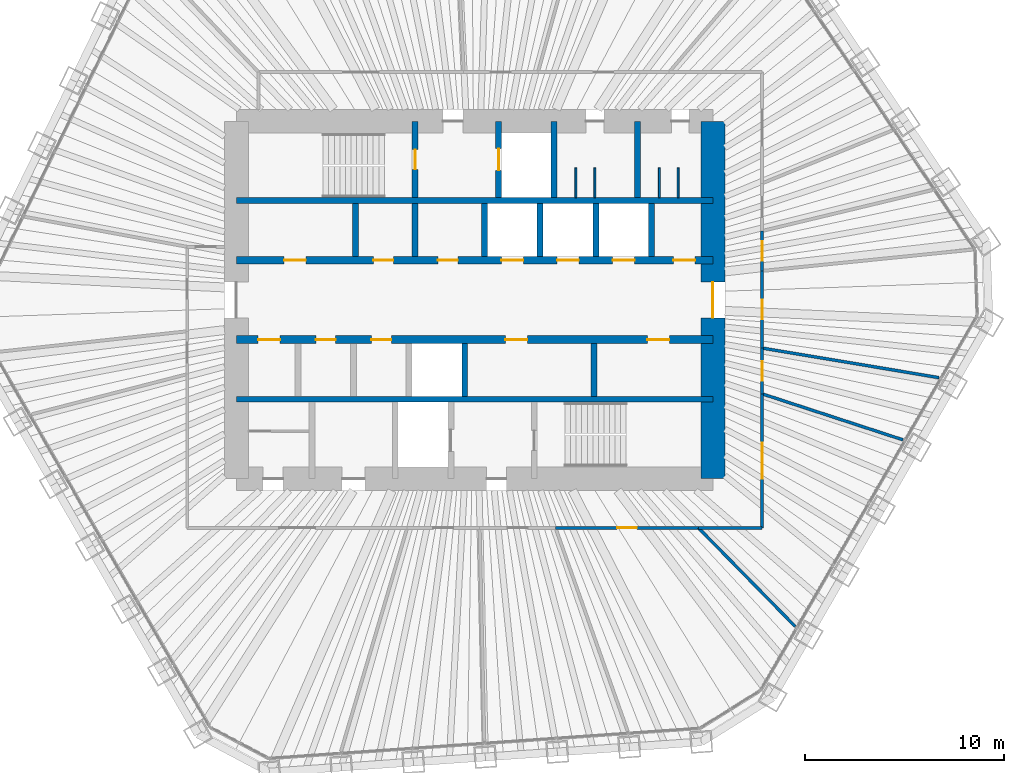
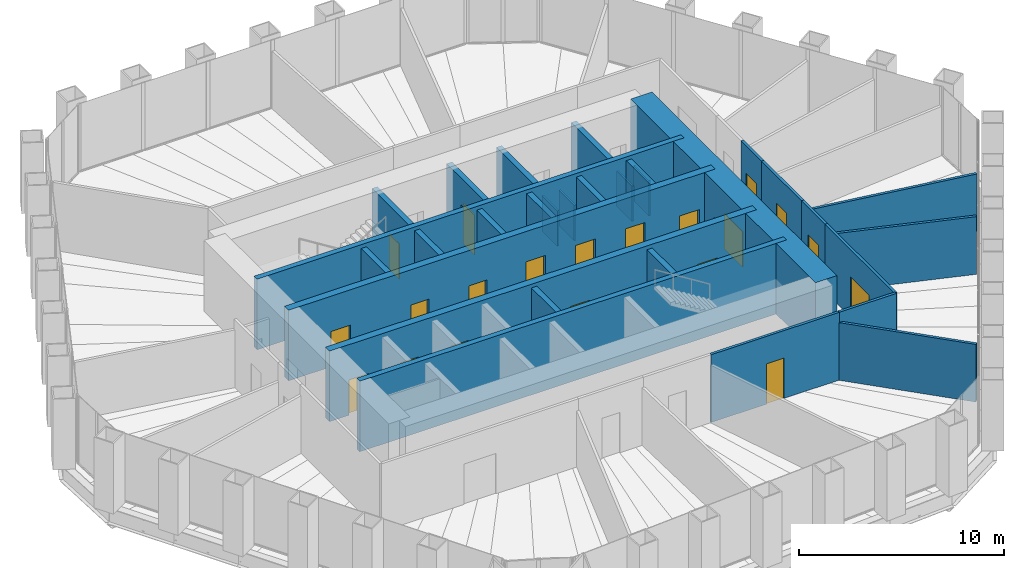
# One storey, part 11 of 13: 30 walls, 20 doors, 20 openings.
"""IFC4 building model written with IfcOpenShell, lengths in metres."""

from ifc_helpers import new_model, si_unit, direction, frame, frame_2d, origin, place, context, subcontext, project, spatial, rectangle, extrude, material, layer, layer_set, type_object, element, fill, save


model = new_model("IFC4")

# Units and contexts
model_context = context("Model", 3, precision=1e-05, world=origin(), true_north=direction((0.0, 1.0)))
body_context = subcontext(model_context, "Body", "Model", "MODEL_VIEW")
ifc_project = project(units=[si_unit("LENGTHUNIT", "METRE"), si_unit("AREAUNIT", "SQUARE_METRE"), si_unit("VOLUMEUNIT", "CUBIC_METRE"), si_unit("PLANEANGLEUNIT", "RADIAN"), si_unit("MASSUNIT", "GRAM", prefix="KILO")], contexts=[model_context])

# Site, building, storey
site_placement = place(None, origin())
site = spatial("IfcSite", under=ifc_project, at=site_placement, CompositionType="ELEMENT")
building_placement = place(site_placement, origin())
building = spatial("IfcBuilding", under=site, at=building_placement, Name="Qingtian Harvest Tower", CompositionType="ELEMENT")
storey_placement = place(building_placement, frame((0.0, 0.0, 214.0)))
storey = spatial("IfcBuildingStorey", under=building, at=storey_placement, Name="L46", CompositionType="ELEMENT", Elevation=214.0)

# Walls
ifc_material_1 = material(Name="Concrete fc' 70 MPa", Category="concrete")
ifc_layer_1 = layer(ifc_material_1, 0.300048828125)
ifc_layer_set_1 = layer_set([ifc_layer_1], Name="Core inner wall RC5 300")
wall_type_1 = type_object("IfcWallType", Name="Core inner wall RC5 300", PredefinedType="SHEAR", material=ifc_layer_set_1)
for number, where, z_axis, x_axis, name in (
    (1, (-12.0, 5.0, 0.0), (0.0, 0.0, 1.0), (1.0, 0.0, 0.0), "Core wall IN5 L46"),
    (2, (-12.0, -5.0, 0.0), (0.0, 0.0, 1.0), (1.0, 0.0, 0.0), "Core wall IS5 L46"),
):
    element("IfcWall", number, at=place(storey_placement, frame(where, z_axis=z_axis, x_axis=x_axis)), inside=storey, type_object=wall_type_1, Name=name, PredefinedType="SHEAR", context=body_context, shape_type="SweptSolid", body=[
        extrude(rectangle(XDim=24.0, YDim=0.300048828125, at=frame_2d((12.0, 0.0))), origin(), (0.0, 0.0, 1.0), 4.199951171875),
    ])

# Wall, openings, doors
ifc_material_2 = material(Name="Concrete fc' 70 MPa", Category="concrete")
ifc_layer_2 = layer(ifc_material_2, 0.39990234375)
ifc_layer_set_2 = layer_set([ifc_layer_2], Name="Core inner web RC6 400")
wall_type_2 = type_object("IfcWallType", Name="Core inner web RC6 400", PredefinedType="SHEAR", material=ifc_layer_set_2)
wall_1_placement = place(storey_placement, frame((-12.0, 2.0, 0.0), z_axis=(0.0, 0.0, 1.0), x_axis=(1.0, 0.0, 0.0)))
wall_1 = element("IfcWall", 3, at=wall_1_placement, inside=storey, type_object=wall_type_2, Name="Core wall IN2 L46", PredefinedType="SHEAR", context=body_context, shape_type="SweptSolid", body=[
    extrude(rectangle(XDim=24.0, YDim=0.39990234375, at=frame_2d((12.0, 0.0))), origin(), (0.0, 0.0, 1.0), 4.199951171875),
])
opening_1_placement = place(wall_1_placement, frame((2.39990234375, 0.0, 0.0)))
opening_1 = element("IfcOpeningElement", 4, at=opening_1_placement, cuts=wall_1, Name="Opening FD4", PredefinedType="OPENING", context=body_context, shape_type="SweptSolid", body=[
    extrude(rectangle(XDim=1.10009765625, YDim=2.10009765625, at=frame_2d((0.550048828125, 1.050048828125))), frame((0.0, 0.2099609375, 0.0), z_axis=(0.0, -1.0, 0.0), x_axis=(1.0, 0.0, 0.0)), (0.0, 0.0, 1.0), 0.419921875),
])
opening_2_placement = place(wall_1_placement, frame((22.0, 0.0, 0.0)))
opening_2 = element("IfcOpeningElement", 5, at=opening_2_placement, cuts=wall_1, Name="Opening FD4", PredefinedType="OPENING", context=body_context, shape_type="SweptSolid", body=[
    extrude(rectangle(XDim=1.10009765625, YDim=2.10009765625, at=frame_2d((0.550048828125, 1.050048828125))), frame((0.0, 0.2099609375, 0.0), z_axis=(0.0, -1.0, 0.0), x_axis=(1.0, 0.0, 0.0)), (0.0, 0.0, 1.0), 0.419921875),
])
opening_3_placement = place(wall_1_placement, frame((10.14990234375, 0.0, 0.0)))
opening_3 = element("IfcOpeningElement", 6, at=opening_3_placement, cuts=wall_1, Name="Opening FD1", PredefinedType="OPENING", context=body_context, shape_type="SweptSolid", body=[
    extrude(rectangle(XDim=1.0, YDim=2.10009765625, at=frame_2d((0.5, 1.050048828125))), frame((0.0, 0.2099609375, 0.0), z_axis=(0.0, -1.0, 0.0), x_axis=(1.0, 0.0, 0.0)), (0.0, 0.0, 1.0), 0.419921875),
])
opening_4_placement = place(wall_1_placement, frame((6.89990234375, 0.0, 0.0)))
opening_4 = element("IfcOpeningElement", 7, at=opening_4_placement, cuts=wall_1, Name="Opening FD1", PredefinedType="OPENING", context=body_context, shape_type="SweptSolid", body=[
    extrude(rectangle(XDim=1.0, YDim=2.10009765625, at=frame_2d((0.5, 1.050048828125))), frame((0.0, 0.2099609375, 0.0), z_axis=(0.0, -1.0, 0.0), x_axis=(1.0, 0.0, 0.0)), (0.0, 0.0, 1.0), 0.419921875),
])
opening_5_placement = place(wall_1_placement, frame((13.35009765625, 0.0, 0.0)))
opening_5 = element("IfcOpeningElement", 8, at=opening_5_placement, cuts=wall_1, Name="Opening LD1", PredefinedType="OPENING", context=body_context, shape_type="SweptSolid", body=[
    extrude(rectangle(XDim=1.10009765625, YDim=2.39990234375, at=frame_2d((0.550048828125, 1.199951171875))), frame((0.0, 0.2099609375, 0.0), z_axis=(0.0, -1.0, 0.0), x_axis=(1.0, 0.0, 0.0)), (0.0, 0.0, 1.0), 0.419921875),
])
opening_6_placement = place(wall_1_placement, frame((16.14990234375, 0.0, 0.0)))
opening_6 = element("IfcOpeningElement", 9, at=opening_6_placement, cuts=wall_1, Name="Opening LD1", PredefinedType="OPENING", context=body_context, shape_type="SweptSolid", body=[
    extrude(rectangle(XDim=1.10009765625, YDim=2.39990234375, at=frame_2d((0.550048828125, 1.199951171875))), frame((0.0, 0.2099609375, 0.0), z_axis=(0.0, -1.0, 0.0), x_axis=(1.0, 0.0, 0.0)), (0.0, 0.0, 1.0), 0.419921875),
])
opening_7_placement = place(wall_1_placement, frame((18.949951171875, 0.0, 0.0)))
opening_7 = element("IfcOpeningElement", 10, at=opening_7_placement, cuts=wall_1, Name="Opening LD1", PredefinedType="OPENING", context=body_context, shape_type="SweptSolid", body=[
    extrude(rectangle(XDim=1.10009765625, YDim=2.39990234375, at=frame_2d((0.550048828125, 1.199951171875))), frame((0.0, 0.2099609375, 0.0), z_axis=(0.0, -1.0, 0.0), x_axis=(1.0, 0.0, 0.0)), (0.0, 0.0, 1.0), 0.419921875),
])
ifc_material_3 = material(Name="Steel-faced door leaf", Category="steel")
door_type_1 = type_object("IfcDoorType", Name="Fire door FD1 single 1 HR", OperationType="SINGLE_SWING_LEFT", PredefinedType="DOOR", material=ifc_material_3)
door_1_placement = place(opening_3_placement, origin())
door_1 = element("IfcDoor", 11, at=door_1_placement, inside=storey, type_object=door_type_1, Name="STA door L46", OperationType="SINGLE_SWING_LEFT", OverallHeight=2.10009765625, OverallWidth=1.0, PredefinedType="DOOR", context=body_context, shape_type="SweptSolid", body=[
    extrude(rectangle(XDim=1.0, YDim=2.10009765625, at=frame_2d((0.5, 1.050048828125))), frame((0.0, 0.02490234375, 0.0), z_axis=(0.0, -1.0, 0.0), x_axis=(1.0, 0.0, 0.0)), (0.0, 0.0, 1.0), 0.050048828125),
])
fill(opening_3, door_1)
door_2_placement = place(opening_4_placement, origin())
door_2 = element("IfcDoor", 12, at=door_2_placement, inside=storey, type_object=door_type_1, Name="Pantry door L46", OperationType="SINGLE_SWING_LEFT", OverallHeight=2.10009765625, OverallWidth=1.0, PredefinedType="DOOR", context=body_context, shape_type="SweptSolid", body=[
    extrude(rectangle(XDim=1.0, YDim=2.10009765625, at=frame_2d((0.5, 1.050048828125))), frame((0.0, 0.02490234375, 0.0), z_axis=(0.0, -1.0, 0.0), x_axis=(1.0, 0.0, 0.0)), (0.0, 0.0, 1.0), 0.050048828125),
])
fill(opening_4, door_2)
ifc_material_4 = material(Name="Steel-faced door leaf", Category="steel")
door_type_2 = type_object("IfcDoorType", Name="Fire door FD4 single 2 HR", OperationType="SINGLE_SWING_LEFT", PredefinedType="DOOR", material=ifc_material_4)
door_3_placement = place(opening_1_placement, origin())
door_3 = element("IfcDoor", 13, at=door_3_placement, inside=storey, type_object=door_type_2, Name="RA door L46", OperationType="SINGLE_SWING_LEFT", OverallHeight=2.10009765625, OverallWidth=1.10009765625, PredefinedType="DOOR", context=body_context, shape_type="SweptSolid", body=[
    extrude(rectangle(XDim=1.10009765625, YDim=2.10009765625, at=frame_2d((0.550048828125, 1.050048828125))), frame((0.0, 0.02490234375, 0.0), z_axis=(0.0, -1.0, 0.0), x_axis=(1.0, 0.0, 0.0)), (0.0, 0.0, 1.0), 0.050048828125),
])
fill(opening_1, door_3)
door_4_placement = place(opening_2_placement, origin())
door_4 = element("IfcDoor", 14, at=door_4_placement, inside=storey, type_object=door_type_2, Name="AHU door L46", OperationType="SINGLE_SWING_RIGHT", OverallHeight=2.10009765625, OverallWidth=1.10009765625, PredefinedType="DOOR", context=body_context, shape_type="SweptSolid", body=[
    extrude(rectangle(XDim=1.10009765625, YDim=2.10009765625, at=frame_2d((0.550048828125, 1.050048828125))), frame((0.0, 0.02490234375, 0.0), z_axis=(0.0, -1.0, 0.0), x_axis=(1.0, 0.0, 0.0)), (0.0, 0.0, 1.0), 0.050048828125),
])
fill(opening_2, door_4)
ifc_material_5 = material(Name="Stainless steel lift landing door", Category="steel")
door_type_3 = type_object("IfcDoorType", Name="Lift landing door LD1 1 HR", OperationType="DOUBLE_DOOR_SLIDING", PredefinedType="DOOR", material=ifc_material_5)
door_5_placement = place(opening_5_placement, origin())
door_5 = element("IfcDoor", 15, at=door_5_placement, inside=storey, type_object=door_type_3, Name="PLC1 landing door L46", OperationType="DOUBLE_DOOR_SLIDING", OverallHeight=2.39990234375, OverallWidth=1.10009765625, PredefinedType="DOOR", context=body_context, shape_type="SweptSolid", body=[
    extrude(rectangle(XDim=1.10009765625, YDim=2.39990234375, at=frame_2d((0.550048828125, 1.199951171875))), frame((0.0, 0.02490234375, 0.0), z_axis=(0.0, -1.0, 0.0), x_axis=(1.0, 0.0, 0.0)), (0.0, 0.0, 1.0), 0.050048828125),
])
fill(opening_5, door_5)
door_6_placement = place(opening_6_placement, origin())
door_6 = element("IfcDoor", 16, at=door_6_placement, inside=storey, type_object=door_type_3, Name="PLC2 landing door L46", OperationType="DOUBLE_DOOR_SLIDING", OverallHeight=2.39990234375, OverallWidth=1.10009765625, PredefinedType="DOOR", context=body_context, shape_type="SweptSolid", body=[
    extrude(rectangle(XDim=1.10009765625, YDim=2.39990234375, at=frame_2d((0.550048828125, 1.199951171875))), frame((0.0, 0.02490234375, 0.0), z_axis=(0.0, -1.0, 0.0), x_axis=(1.0, 0.0, 0.0)), (0.0, 0.0, 1.0), 0.050048828125),
])
fill(opening_6, door_6)
door_7_placement = place(opening_7_placement, origin())
door_7 = element("IfcDoor", 17, at=door_7_placement, inside=storey, type_object=door_type_3, Name="PLC3 landing door L46", OperationType="DOUBLE_DOOR_SLIDING", OverallHeight=2.39990234375, OverallWidth=1.10009765625, PredefinedType="DOOR", context=body_context, shape_type="SweptSolid", body=[
    extrude(rectangle(XDim=1.10009765625, YDim=2.39990234375, at=frame_2d((0.550048828125, 1.199951171875))), frame((0.0, 0.02490234375, 0.0), z_axis=(0.0, -1.0, 0.0), x_axis=(1.0, 0.0, 0.0)), (0.0, 0.0, 1.0), 0.050048828125),
])
fill(opening_7, door_7)

wall_2_placement = place(storey_placement, frame((-12.0, -2.0, 0.0), z_axis=(0.0, 0.0, 1.0), x_axis=(1.0, 0.0, 0.0)))
wall_2 = element("IfcWall", 18, at=wall_2_placement, inside=storey, type_object=wall_type_2, Name="Core wall IS2 L46", PredefinedType="SHEAR", context=body_context, shape_type="SweptSolid", body=[
    extrude(rectangle(XDim=24.0, YDim=0.39990234375, at=frame_2d((12.0, 0.0))), origin(), (0.0, 0.0, 1.0), 4.199951171875),
])
opening_8_placement = place(wall_2_placement, frame((1.10009765625, 0.0, 0.0)))
opening_8 = element("IfcOpeningElement", 19, at=opening_8_placement, cuts=wall_2, Name="Opening FD4", PredefinedType="OPENING", context=body_context, shape_type="SweptSolid", body=[
    extrude(rectangle(XDim=1.10009765625, YDim=2.10009765625, at=frame_2d((0.550048828125, 1.050048828125))), frame((0.0, 0.2099609375, 0.0), z_axis=(0.0, -1.0, 0.0), x_axis=(1.0, 0.0, 0.0)), (0.0, 0.0, 1.0), 0.419921875),
])
opening_9_placement = place(wall_2_placement, frame((13.550048828125, 0.0, 0.0)))
opening_9 = element("IfcOpeningElement", 20, at=opening_9_placement, cuts=wall_2, Name="Opening FD4", PredefinedType="OPENING", context=body_context, shape_type="SweptSolid", body=[
    extrude(rectangle(XDim=1.10009765625, YDim=2.10009765625, at=frame_2d((0.550048828125, 1.050048828125))), frame((0.0, 0.2099609375, 0.0), z_axis=(0.0, -1.0, 0.0), x_axis=(1.0, 0.0, 0.0)), (0.0, 0.0, 1.0), 0.419921875),
])
opening_10_placement = place(wall_2_placement, frame((20.699951171875, 0.0, 0.0)))
opening_10 = element("IfcOpeningElement", 21, at=opening_10_placement, cuts=wall_2, Name="Opening FD4", PredefinedType="OPENING", context=body_context, shape_type="SweptSolid", body=[
    extrude(rectangle(XDim=1.10009765625, YDim=2.10009765625, at=frame_2d((0.550048828125, 1.050048828125))), frame((0.0, 0.2099609375, 0.0), z_axis=(0.0, -1.0, 0.0), x_axis=(1.0, 0.0, 0.0)), (0.0, 0.0, 1.0), 0.419921875),
])
opening_11_placement = place(wall_2_placement, frame((4.0, 0.0, 0.0)))
opening_11 = element("IfcOpeningElement", 22, at=opening_11_placement, cuts=wall_2, Name="Opening FD1", PredefinedType="OPENING", context=body_context, shape_type="SweptSolid", body=[
    extrude(rectangle(XDim=1.0, YDim=2.10009765625, at=frame_2d((0.5, 1.050048828125))), frame((0.0, 0.2099609375, 0.0), z_axis=(0.0, -1.0, 0.0), x_axis=(1.0, 0.0, 0.0)), (0.0, 0.0, 1.0), 0.419921875),
])
opening_12_placement = place(wall_2_placement, frame((6.800048828125, 0.0, 0.0)))
opening_12 = element("IfcOpeningElement", 23, at=opening_12_placement, cuts=wall_2, Name="Opening FD1", PredefinedType="OPENING", context=body_context, shape_type="SweptSolid", body=[
    extrude(rectangle(XDim=1.0, YDim=2.10009765625, at=frame_2d((0.5, 1.050048828125))), frame((0.0, 0.2099609375, 0.0), z_axis=(0.0, -1.0, 0.0), x_axis=(1.0, 0.0, 0.0)), (0.0, 0.0, 1.0), 0.419921875),
])
door_8_placement = place(opening_11_placement, origin())
door_8 = element("IfcDoor", 24, at=door_8_placement, inside=storey, type_object=door_type_1, Name="Archive store door L46", OperationType="SINGLE_SWING_RIGHT", OverallHeight=2.10009765625, OverallWidth=1.0, PredefinedType="DOOR", context=body_context, shape_type="SweptSolid", body=[
    extrude(rectangle(XDim=1.0, YDim=2.10009765625, at=frame_2d((0.5, 1.050048828125))), frame((0.0, 0.02490234375, 0.0), z_axis=(0.0, -1.0, 0.0), x_axis=(1.0, 0.0, 0.0)), (0.0, 0.0, 1.0), 0.050048828125),
])
fill(opening_11, door_8)
door_9_placement = place(opening_12_placement, origin())
door_9 = element("IfcDoor", 25, at=door_9_placement, inside=storey, type_object=door_type_1, Name="Staff WC door L46", OperationType="SINGLE_SWING_RIGHT", OverallHeight=2.10009765625, OverallWidth=1.0, PredefinedType="DOOR", context=body_context, shape_type="SweptSolid", body=[
    extrude(rectangle(XDim=1.0, YDim=2.10009765625, at=frame_2d((0.5, 1.050048828125))), frame((0.0, 0.02490234375, 0.0), z_axis=(0.0, -1.0, 0.0), x_axis=(1.0, 0.0, 0.0)), (0.0, 0.0, 1.0), 0.050048828125),
])
fill(opening_12, door_9)
door_10_placement = place(opening_8_placement, origin())
door_10 = element("IfcDoor", 26, at=door_10_placement, inside=storey, type_object=door_type_2, Name="RB door L46", OperationType="SINGLE_SWING_RIGHT", OverallHeight=2.10009765625, OverallWidth=1.10009765625, PredefinedType="DOOR", context=body_context, shape_type="SweptSolid", body=[
    extrude(rectangle(XDim=1.10009765625, YDim=2.10009765625, at=frame_2d((0.550048828125, 1.050048828125))), frame((0.0, 0.02490234375, 0.0), z_axis=(0.0, -1.0, 0.0), x_axis=(1.0, 0.0, 0.0)), (0.0, 0.0, 1.0), 0.050048828125),
])
fill(opening_8, door_10)
door_11_placement = place(opening_9_placement, origin())
door_11 = element("IfcDoor", 27, at=door_11_placement, inside=storey, type_object=door_type_2, Name="ELEC door L46", OperationType="SINGLE_SWING_LEFT", OverallHeight=2.10009765625, OverallWidth=1.10009765625, PredefinedType="DOOR", context=body_context, shape_type="SweptSolid", body=[
    extrude(rectangle(XDim=1.10009765625, YDim=2.10009765625, at=frame_2d((0.550048828125, 1.050048828125))), frame((0.0, 0.02490234375, 0.0), z_axis=(0.0, -1.0, 0.0), x_axis=(1.0, 0.0, 0.0)), (0.0, 0.0, 1.0), 0.050048828125),
])
fill(opening_9, door_11)
door_12_placement = place(opening_10_placement, origin())
door_12 = element("IfcDoor", 28, at=door_12_placement, inside=storey, type_object=door_type_2, Name="DUCT door L46", OperationType="SINGLE_SWING_LEFT", OverallHeight=2.10009765625, OverallWidth=1.10009765625, PredefinedType="DOOR", context=body_context, shape_type="SweptSolid", body=[
    extrude(rectangle(XDim=1.10009765625, YDim=2.10009765625, at=frame_2d((0.550048828125, 1.050048828125))), frame((0.0, 0.02490234375, 0.0), z_axis=(0.0, -1.0, 0.0), x_axis=(1.0, 0.0, 0.0)), (0.0, 0.0, 1.0), 0.050048828125),
])
fill(opening_10, door_12)

# Wall, opening, door
ifc_material_6 = material(Name="Precast concrete shaft panel", Category="concrete")
ifc_layer_3 = layer(ifc_material_6, 0.300048828125)
ifc_layer_set_3 = layer_set([ifc_layer_3], Name="Core shaft partition SW1 300")
wall_type_3 = type_object("IfcWallType", Name="Core shaft partition SW1 300", PredefinedType="PARTITIONING", material=ifc_layer_set_3)
wall_3_placement = place(storey_placement, frame((-3.0, 5.14990234375, 0.0), z_axis=(0.0, 0.0, 1.0), x_axis=(0.0, 1.0, 0.0)))
wall_3 = element("IfcWall", 29, at=wall_3_placement, inside=storey, type_object=wall_type_3, Name="Core shaft partition XN1 L46", PredefinedType="PARTITIONING", context=body_context, shape_type="SweptSolid", body=[
    extrude(rectangle(XDim=3.85009765625, YDim=0.300048828125, at=frame_2d((1.925048828125, 0.0))), origin(), (0.0, 0.0, 1.0), 3.97998046875),
])
opening_13_placement = place(wall_3_placement, frame((1.425048828125, 0.0, 0.0)))
opening_13 = element("IfcOpeningElement", 30, at=opening_13_placement, cuts=wall_3, Name="Opening FD1", PredefinedType="OPENING", context=body_context, shape_type="SweptSolid", body=[
    extrude(rectangle(XDim=1.0, YDim=2.10009765625, at=frame_2d((0.5, 1.050048828125))), frame((0.0, 0.159912109375, 0.0), z_axis=(0.0, -1.0, 0.0), x_axis=(1.0, 0.0, 0.0)), (0.0, 0.0, 1.0), 0.320068359375),
])
door_13_placement = place(opening_13_placement, origin())
door_13 = element("IfcDoor", 31, at=door_13_placement, inside=storey, type_object=door_type_1, Name="S1 door L46", OperationType="SINGLE_SWING_RIGHT", OverallHeight=2.10009765625, OverallWidth=1.0, PredefinedType="DOOR", context=body_context, shape_type="SweptSolid", body=[
    extrude(rectangle(XDim=1.0, YDim=2.10009765625, at=frame_2d((0.5, 1.050048828125))), frame((0.0, 0.02490234375, 0.0), z_axis=(0.0, -1.0, 0.0), x_axis=(1.0, 0.0, 0.0)), (0.0, 0.0, 1.0), 0.050048828125),
])
fill(opening_13, door_13)

wall_4_placement = place(storey_placement, frame((1.199951171875, 5.14990234375, 0.0), z_axis=(0.0, 0.0, 1.0), x_axis=(0.0, 1.0, 0.0)))
wall_4 = element("IfcWall", 32, at=wall_4_placement, inside=storey, type_object=wall_type_3, Name="Core shaft partition XN2 L46", PredefinedType="PARTITIONING", context=body_context, shape_type="SweptSolid", body=[
    extrude(rectangle(XDim=3.85009765625, YDim=0.300048828125, at=frame_2d((1.925048828125, 0.0))), origin(), (0.0, 0.0, 1.0), 3.97998046875),
])
opening_14_placement = place(wall_4_placement, frame((1.375, 0.0, 0.0)))
opening_14 = element("IfcOpeningElement", 33, at=opening_14_placement, cuts=wall_4, Name="Opening LD1", PredefinedType="OPENING", context=body_context, shape_type="SweptSolid", body=[
    extrude(rectangle(XDim=1.10009765625, YDim=2.39990234375, at=frame_2d((0.550048828125, 1.199951171875))), frame((0.0, 0.159912109375, 0.0), z_axis=(0.0, -1.0, 0.0), x_axis=(1.0, 0.0, 0.0)), (0.0, 0.0, 1.0), 0.320068359375),
])
door_14_placement = place(opening_14_placement, origin())
door_14 = element("IfcDoor", 34, at=door_14_placement, inside=storey, type_object=door_type_3, Name="FL1 landing door L46", OperationType="DOUBLE_DOOR_SLIDING", OverallHeight=2.39990234375, OverallWidth=1.10009765625, PredefinedType="DOOR", context=body_context, shape_type="SweptSolid", body=[
    extrude(rectangle(XDim=1.10009765625, YDim=2.39990234375, at=frame_2d((0.550048828125, 1.199951171875))), frame((0.0, 0.02490234375, 0.0), z_axis=(0.0, -1.0, 0.0), x_axis=(1.0, 0.0, 0.0)), (0.0, 0.0, 1.0), 0.050048828125),
])
fill(opening_14, door_14)

# Walls
for number, where, z_axis, x_axis, name in (
    (35, (4.0, 5.14990234375, 0.0), (0.0, 0.0, 1.0), (0.0, 1.0, 0.0), "Core shaft partition XN3 L46"),
    (36, (8.199951171875, 5.14990234375, 0.0), (0.0, 0.0, 1.0), (0.0, 1.0, 0.0), "Core shaft partition XN4 L46"),
):
    element("IfcWall", number, at=place(storey_placement, frame(where, z_axis=z_axis, x_axis=x_axis)), inside=storey, type_object=wall_type_3, Name=name, PredefinedType="PARTITIONING", context=body_context, shape_type="SweptSolid", body=[
        extrude(rectangle(XDim=3.85009765625, YDim=0.300048828125, at=frame_2d((1.925048828125, 0.0))), origin(), (0.0, 0.0, 1.0), 3.97998046875),
    ])
for number, where, z_axis, x_axis, name in (
    (37, (-6.0, 2.199951171875, 0.0), (0.0, 0.0, 1.0), (0.0, 1.0, 0.0), "Core shaft partition XA1 L46"),
    (38, (-3.0, 2.199951171875, 0.0), (0.0, 0.0, 1.0), (0.0, 1.0, 0.0), "Core shaft partition XA2 L46"),
    (39, (0.5, 2.199951171875, 0.0), (0.0, 0.0, 1.0), (0.0, 1.0, 0.0), "Core shaft partition XA3 L46"),
    (40, (3.300048828125, 2.199951171875, 0.0), (0.0, 0.0, 1.0), (0.0, 1.0, 0.0), "Core shaft partition XA4 L46"),
    (41, (6.10009765625, 2.199951171875, 0.0), (0.0, 0.0, 1.0), (0.0, 1.0, 0.0), "Core shaft partition XA5 L46"),
    (42, (8.89990234375, 2.199951171875, 0.0), (0.0, 0.0, 1.0), (0.0, 1.0, 0.0), "Core shaft partition XA6 L46"),
    (43, (-0.5, -4.85009765625, 0.0), (0.0, 0.0, 1.0), (0.0, 1.0, 0.0), "Core shaft partition XB4 L46"),
    (44, (6.0, -4.85009765625, 0.0), (0.0, 0.0, 1.0), (0.0, 1.0, 0.0), "Core shaft partition XB5 L46"),
):
    element("IfcWall", number, at=place(storey_placement, frame(where, z_axis=z_axis, x_axis=x_axis)), inside=storey, type_object=wall_type_3, Name=name, PredefinedType="PARTITIONING", context=body_context, shape_type="SweptSolid", body=[
        extrude(rectangle(XDim=2.650146484375, YDim=0.300048828125, at=frame_2d((1.3251953125, 0.0))), origin(), (0.0, 0.0, 1.0), 3.97998046875),
    ])

# Wall, opening, door
ifc_material_7 = material(Name="Concrete fc' 70 MPa", Category="concrete")
ifc_layer_4 = layer(ifc_material_7, 1.199951171875)
ifc_layer_set_4 = layer_set([ifc_layer_4], Name="Core wall RC2 1200")
wall_type_4 = type_object("IfcWallType", Name="Core wall RC2 1200", PredefinedType="SHEAR", material=ifc_layer_set_4)
wall_5_placement = place(storey_placement, frame((12.0, -9.0, 0.0), z_axis=(0.0, 0.0, 1.0), x_axis=(0.0, 1.0, 0.0)))
wall_5 = element("IfcWall", 45, at=wall_5_placement, inside=storey, type_object=wall_type_4, Name="Core wall CE L46", PredefinedType="SHEAR", context=body_context, shape_type="SweptSolid", body=[
    extrude(rectangle(XDim=18.0, YDim=1.199951171875, at=frame_2d((9.0, 0.0))), origin(), (0.0, 0.0, 1.0), 4.199951171875),
])
opening_15_placement = place(wall_5_placement, frame((8.10009765625, 0.0, 0.0)))
opening_15 = element("IfcOpeningElement", 46, at=opening_15_placement, cuts=wall_5, Name="Opening FD2", PredefinedType="OPENING", context=body_context, shape_type="SweptSolid", body=[
    extrude(rectangle(XDim=1.800048828125, YDim=2.10009765625, at=frame_2d((0.89990234375, 1.050048828125))), frame((0.0, 0.60986328125, 0.0), z_axis=(0.0, -1.0, 0.0), x_axis=(1.0, 0.0, 0.0)), (0.0, 0.0, 1.0), 1.219970703125),
])
ifc_material_8 = material(Name="Steel-faced door leaf", Category="steel")
door_type_4 = type_object("IfcDoorType", Name="Fire door FD2 double 1 HR", OperationType="DOUBLE_DOOR_DOUBLE_SWING", PredefinedType="DOOR", material=ifc_material_8)
door_15_placement = place(opening_15_placement, origin())
door_15 = element("IfcDoor", 47, at=door_15_placement, inside=storey, type_object=door_type_4, Name="LOBBY-E door L46", OperationType="DOUBLE_DOOR_DOUBLE_SWING", OverallHeight=2.10009765625, OverallWidth=1.800048828125, PredefinedType="DOOR", context=body_context, shape_type="SweptSolid", body=[
    extrude(rectangle(XDim=1.800048828125, YDim=2.10009765625, at=frame_2d((0.89990234375, 1.050048828125))), frame((0.0, 0.02490234375, 0.0), z_axis=(0.0, -1.0, 0.0), x_axis=(1.0, 0.0, 0.0)), (0.0, 0.0, 1.0), 0.050048828125),
])
fill(opening_15, door_15)

ifc_material_9 = material(Name="Gypsum board on steel studs", Category="steel")
ifc_layer_5 = layer(ifc_material_9, 0.14990234375)
ifc_layer_set_5 = layer_set([ifc_layer_5], Name="Partition PT1 150")
wall_type_5 = type_object("IfcWallType", Name="Partition PT1 150", PredefinedType="PARTITIONING", material=ifc_layer_set_5)
wall_6_placement = place(storey_placement, frame((14.47509765625, 3.474609375, 0.0), z_axis=(0.0, 0.0, 1.0), x_axis=(0.0, -1.0, 0.0)))
wall_6 = element("IfcWall", 48, at=wall_6_placement, inside=storey, type_object=wall_type_5, Name="Private office wall L46", PredefinedType="PARTITIONING", context=body_context, shape_type="SweptSolid", body=[
    extrude(rectangle(XDim=2.011962890625, YDim=0.14990234375, at=frame_2d((1.005859375, 0.0))), origin(), (0.0, 0.0, 1.0), 4.030029296875),
])
opening_16_placement = place(wall_6_placement, frame((0.505859375, 0.0, 0.0)))
opening_16 = element("IfcOpeningElement", 49, at=opening_16_placement, cuts=wall_6, Name="Opening D2", PredefinedType="OPENING", context=body_context, shape_type="SweptSolid", body=[
    extrude(rectangle(XDim=1.0, YDim=2.39990234375, at=frame_2d((0.5, 1.199951171875))), frame((0.0, 0.0849609375, 0.0), z_axis=(0.0, -1.0, 0.0), x_axis=(1.0, 0.0, 0.0)), (0.0, 0.0, 1.0), 0.169921875),
])
ifc_material_10 = material(Name="Laminated timber door leaf", Category="wood")
door_type_5 = type_object("IfcDoorType", Name="Room door D2 single", OperationType="SINGLE_SWING_LEFT", PredefinedType="DOOR", material=ifc_material_10)
door_16_placement = place(opening_16_placement, origin())
door_16 = element("IfcDoor", 50, at=door_16_placement, inside=storey, type_object=door_type_5, Name="Private office door L46", OperationType="SINGLE_SWING_RIGHT", OverallHeight=2.39990234375, OverallWidth=1.0, PredefinedType="DOOR", context=body_context, shape_type="SweptSolid", body=[
    extrude(rectangle(XDim=1.0, YDim=2.39990234375, at=frame_2d((0.5, 1.199951171875))), frame((0.0, 0.02490234375, 0.0), z_axis=(0.0, -1.0, 0.0), x_axis=(1.0, 0.0, 0.0)), (0.0, 0.0, 1.0), 0.050048828125),
])
fill(opening_16, door_16)

wall_7_placement = place(storey_placement, frame((14.47509765625, 1.462646484375, 0.0), z_axis=(0.0, 0.0, 1.0), x_axis=(0.0, -1.0, 0.0)))
wall_7 = element("IfcWall", 51, at=wall_7_placement, inside=storey, type_object=wall_type_5, Name="Private office wall L46", PredefinedType="PARTITIONING", context=body_context, shape_type="SweptSolid", body=[
    extrude(rectangle(XDim=3.884521484375, YDim=0.14990234375, at=frame_2d((1.9423828125, 0.0))), origin(), (0.0, 0.0, 1.0), 4.030029296875),
])
opening_17_placement = place(wall_7_placement, frame((1.4423828125, 0.0, 0.0)))
opening_17 = element("IfcOpeningElement", 52, at=opening_17_placement, cuts=wall_7, Name="Opening D2", PredefinedType="OPENING", context=body_context, shape_type="SweptSolid", body=[
    extrude(rectangle(XDim=1.0, YDim=2.39990234375, at=frame_2d((0.5, 1.199951171875))), frame((0.0, 0.0849609375, 0.0), z_axis=(0.0, -1.0, 0.0), x_axis=(1.0, 0.0, 0.0)), (0.0, 0.0, 1.0), 0.169921875),
])
door_17_placement = place(opening_17_placement, origin())
door_17 = element("IfcDoor", 53, at=door_17_placement, inside=storey, type_object=door_type_5, Name="Private office door L46", OperationType="SINGLE_SWING_RIGHT", OverallHeight=2.39990234375, OverallWidth=1.0, PredefinedType="DOOR", context=body_context, shape_type="SweptSolid", body=[
    extrude(rectangle(XDim=1.0, YDim=2.39990234375, at=frame_2d((0.5, 1.199951171875))), frame((0.0, 0.02490234375, 0.0), z_axis=(0.0, -1.0, 0.0), x_axis=(1.0, 0.0, 0.0)), (0.0, 0.0, 1.0), 0.050048828125),
])
fill(opening_17, door_17)

# Wall
wall_8_placement = place(storey_placement, frame((23.383056640625, -3.912109375, 0.0), z_axis=(0.0, 0.0, 1.0), x_axis=(-0.986293651891, 0.164999491631, 0.0)))
element("IfcWall", 54, at=wall_8_placement, inside=storey, type_object=wall_type_5, Name="Private office wall L46", PredefinedType="PARTITIONING", context=body_context, shape_type="SweptSolid", body=[
    extrude(rectangle(XDim=9.03173828125, YDim=0.14990234375, at=frame_2d((4.515869140625, 0.0))), origin(), (0.0, 0.0, 1.0), 3.429931640625),
])

# Wall, opening, door
wall_9_placement = place(storey_placement, frame((14.47509765625, -2.421875, 0.0), z_axis=(0.0, 0.0, 1.0), x_axis=(0.0, -1.0, 0.0)))
wall_9 = element("IfcWall", 55, at=wall_9_placement, inside=storey, type_object=wall_type_5, Name="Private office wall L46", PredefinedType="PARTITIONING", context=body_context, shape_type="SweptSolid", body=[
    extrude(rectangle(XDim=2.305419921875, YDim=0.14990234375, at=frame_2d((1.15283203125, 0.0))), origin(), (0.0, 0.0, 1.0), 4.030029296875),
])
opening_18_placement = place(wall_9_placement, frame((0.65283203125, 0.0, 0.0)))
opening_18 = element("IfcOpeningElement", 56, at=opening_18_placement, cuts=wall_9, Name="Opening D2", PredefinedType="OPENING", context=body_context, shape_type="SweptSolid", body=[
    extrude(rectangle(XDim=1.0, YDim=2.39990234375, at=frame_2d((0.5, 1.199951171875))), frame((0.0, 0.0849609375, 0.0), z_axis=(0.0, -1.0, 0.0), x_axis=(1.0, 0.0, 0.0)), (0.0, 0.0, 1.0), 0.169921875),
])
door_18_placement = place(opening_18_placement, origin())
door_18 = element("IfcDoor", 57, at=door_18_placement, inside=storey, type_object=door_type_5, Name="Private office door L46", OperationType="SINGLE_SWING_LEFT", OverallHeight=2.39990234375, OverallWidth=1.0, PredefinedType="DOOR", context=body_context, shape_type="SweptSolid", body=[
    extrude(rectangle(XDim=1.0, YDim=2.39990234375, at=frame_2d((0.5, 1.199951171875))), frame((0.0, 0.02490234375, 0.0), z_axis=(0.0, -1.0, 0.0), x_axis=(1.0, 0.0, 0.0)), (0.0, 0.0, 1.0), 0.050048828125),
])
fill(opening_18, door_18)

# Wall
wall_10_placement = place(storey_placement, frame((21.56982421875, -7.04443359375, 0.0), z_axis=(0.0, 0.0, 1.0), x_axis=(-0.950585953502, 0.310461503258, 0.0)))
element("IfcWall", 58, at=wall_10_placement, inside=storey, type_object=wall_type_5, Name="Open plan office wall L46", PredefinedType="PARTITIONING", context=body_context, shape_type="SweptSolid", body=[
    extrude(rectangle(XDim=7.463623046875, YDim=0.14990234375, at=frame_2d((3.73193359375, 0.0))), origin(), (0.0, 0.0, 1.0), 3.429931640625),
])

# Wall, opening, door
wall_11_placement = place(storey_placement, frame((14.47509765625, -4.727294921875, 0.0), z_axis=(0.0, 0.0, 1.0), x_axis=(0.0, -1.0, 0.0)))
wall_11 = element("IfcWall", 59, at=wall_11_placement, inside=storey, type_object=wall_type_5, Name="Open plan office wall L46", PredefinedType="PARTITIONING", context=body_context, shape_type="SweptSolid", body=[
    extrude(rectangle(XDim=6.747802734375, YDim=0.14990234375, at=frame_2d((3.3740234375, 0.0))), origin(), (0.0, 0.0, 1.0), 4.030029296875),
])
opening_19_placement = place(wall_11_placement, frame((2.473876953125, 0.0, 0.0)))
opening_19 = element("IfcOpeningElement", 60, at=opening_19_placement, cuts=wall_11, Name="Opening D3", PredefinedType="OPENING", context=body_context, shape_type="SweptSolid", body=[
    extrude(rectangle(XDim=1.800048828125, YDim=2.39990234375, at=frame_2d((0.89990234375, 1.199951171875))), frame((0.0, 0.0849609375, 0.0), z_axis=(0.0, -1.0, 0.0), x_axis=(1.0, 0.0, 0.0)), (0.0, 0.0, 1.0), 0.169921875),
])
ifc_material_11 = material(Name="Laminated timber door leaf", Category="wood")
door_type_6 = type_object("IfcDoorType", Name="Room door D3 double", OperationType="DOUBLE_DOOR_DOUBLE_SWING", PredefinedType="DOOR", material=ifc_material_11)
door_19_placement = place(opening_19_placement, origin())
door_19 = element("IfcDoor", 61, at=door_19_placement, inside=storey, type_object=door_type_6, Name="Open plan office door L46", OperationType="DOUBLE_DOOR_DOUBLE_SWING", OverallHeight=2.39990234375, OverallWidth=1.800048828125, PredefinedType="DOOR", context=body_context, shape_type="SweptSolid", body=[
    extrude(rectangle(XDim=1.800048828125, YDim=2.39990234375, at=frame_2d((0.89990234375, 1.199951171875))), frame((0.0, 0.02490234375, 0.0), z_axis=(0.0, -1.0, 0.0), x_axis=(1.0, 0.0, 0.0)), (0.0, 0.0, 1.0), 0.050048828125),
])
fill(opening_19, door_19)

# Walls
wall_12_placement = place(storey_placement, frame((14.47509765625, -11.47509765625, 0.0), z_axis=(0.0, 0.0, 1.0), x_axis=(-1.0, 0.0, 0.0)))
element("IfcWall", 62, at=wall_12_placement, inside=storey, type_object=wall_type_5, Name="Open plan office wall L46", PredefinedType="PARTITIONING", context=body_context, shape_type="SweptSolid", body=[
    extrude(rectangle(XDim=3.20947265625, YDim=0.14990234375, at=frame_2d((1.604736328125, 0.0))), origin(), (0.0, 0.0, 1.0), 4.030029296875),
])
wall_13_placement = place(storey_placement, frame((16.14453125, -16.4443359375, 0.0), z_axis=(0.0, 0.0, 1.0), x_axis=(-0.700591378209, 0.71356269576, 0.0)))
element("IfcWall", 63, at=wall_13_placement, inside=storey, type_object=wall_type_5, Name="Print room wall L46", PredefinedType="PARTITIONING", context=body_context, shape_type="SweptSolid", body=[
    extrude(rectangle(XDim=6.9638671875, YDim=0.14990234375, at=frame_2d((3.48193359375, 0.0))), origin(), (0.0, 0.0, 1.0), 3.429931640625),
])

# Wall, opening, door
wall_14_placement = place(storey_placement, frame((11.265625, -11.47509765625, 0.0), z_axis=(0.0, 0.0, 1.0), x_axis=(-1.0, 0.0, 0.0)))
wall_14 = element("IfcWall", 64, at=wall_14_placement, inside=storey, type_object=wall_type_5, Name="Print room wall L46", PredefinedType="PARTITIONING", context=body_context, shape_type="SweptSolid", body=[
    extrude(rectangle(XDim=7.196044921875, YDim=0.14990234375, at=frame_2d((3.59814453125, 0.0))), origin(), (0.0, 0.0, 1.0), 4.030029296875),
])
opening_20_placement = place(wall_14_placement, frame((3.09814453125, 0.0, 0.0)))
opening_20 = element("IfcOpeningElement", 65, at=opening_20_placement, cuts=wall_14, Name="Opening D2", PredefinedType="OPENING", context=body_context, shape_type="SweptSolid", body=[
    extrude(rectangle(XDim=1.0, YDim=2.39990234375, at=frame_2d((0.5, 1.199951171875))), frame((0.0, 0.0849609375, 0.0), z_axis=(0.0, -1.0, 0.0), x_axis=(1.0, 0.0, 0.0)), (0.0, 0.0, 1.0), 0.169921875),
])
door_20_placement = place(opening_20_placement, origin())
door_20 = element("IfcDoor", 66, at=door_20_placement, inside=storey, type_object=door_type_5, Name="Print room door L46", OperationType="SINGLE_SWING_LEFT", OverallHeight=2.39990234375, OverallWidth=1.0, PredefinedType="DOOR", context=body_context, shape_type="SweptSolid", body=[
    extrude(rectangle(XDim=1.0, YDim=2.39990234375, at=frame_2d((0.5, 1.199951171875))), frame((0.0, 0.02490234375, 0.0), z_axis=(0.0, -1.0, 0.0), x_axis=(1.0, 0.0, 0.0)), (0.0, 0.0, 1.0), 0.050048828125),
])
fill(opening_20, door_20)

# Walls
ifc_material_12 = material(Name="Compact laminate cubicle partition", Category="plastic")
ifc_layer_6 = layer(ifc_material_12, 0.10009765625)
ifc_layer_set_6 = layer_set([ifc_layer_6], Name="WC cubicle partition WP1 100")
wall_type_6 = type_object("IfcWallType", Name="WC cubicle partition WP1 100", PredefinedType="PARTITIONING", material=ifc_layer_set_6)
for number, where, z_axis, x_axis, name in (
    (67, (5.10009765625, 5.14990234375, 0.0), (0.0, 0.0, 1.0), (0.0, 1.0, 0.0), "WC cubicle partition WCM L46"),
    (68, (6.050048828125, 5.14990234375, 0.0), (0.0, 0.0, 1.0), (0.0, 1.0, 0.0), "WC cubicle partition WCM L46"),
    (69, (9.300048828125, 5.14990234375, 0.0), (0.0, 0.0, 1.0), (0.0, 1.0, 0.0), "WC cubicle partition WCF L46"),
    (70, (10.25, 5.14990234375, 0.0), (0.0, 0.0, 1.0), (0.0, 1.0, 0.0), "WC cubicle partition WCF L46"),
):
    element("IfcWall", number, at=place(storey_placement, frame(where, z_axis=z_axis, x_axis=x_axis)), inside=storey, type_object=wall_type_6, Name=name, PredefinedType="PARTITIONING", context=body_context, shape_type="SweptSolid", body=[
        extrude(rectangle(XDim=1.5, YDim=0.10009765625, at=frame_2d((0.75, 0.0))), origin(), (0.0, 0.0, 1.0), 2.10009765625),
    ])

save(model, "model.ifc")
